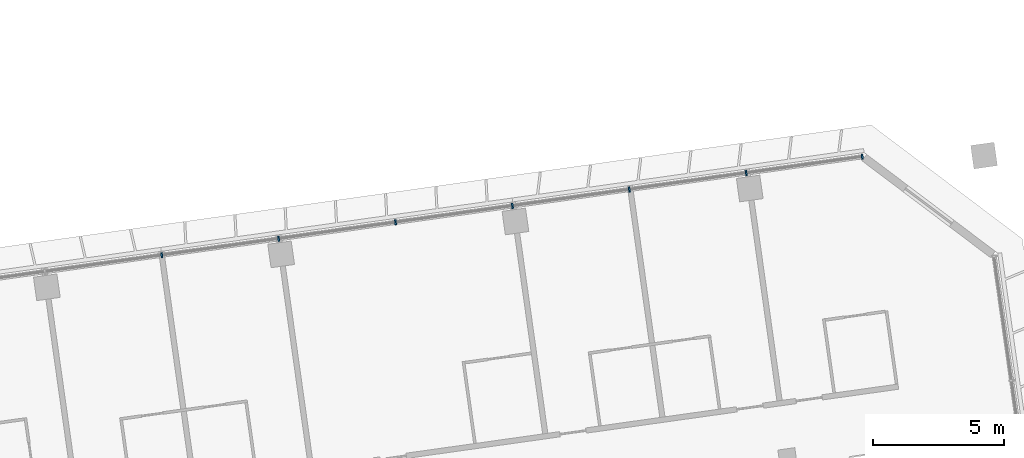
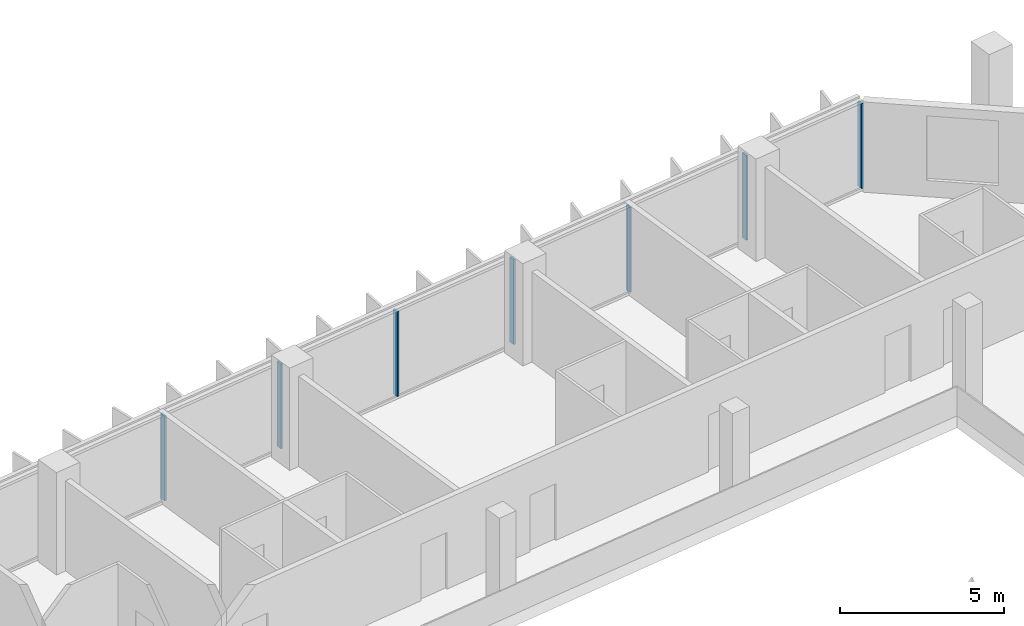
# One storey, part 10 of 26: 7 members, 1 element without a shape of its own.
"""IFC4 building model written with IfcOpenShell, lengths in metres."""

from ifc_helpers import new_model, si_unit, direction, frame, origin, origin_2d, place, context, subcontext, project, spatial, rectangle, extrude, material, material_profile, profile_set, type_object, element, aggregate, save


model = new_model("IFC4")

# Units and contexts
model_context = context("Model", 3, precision=1e-05, world=origin(), true_north=direction((0.0, 1.0)))
body_context = subcontext(model_context, "Body", "Model", "MODEL_VIEW")
ifc_project = project(units=[si_unit("LENGTHUNIT", "METRE"), si_unit("AREAUNIT", "SQUARE_METRE"), si_unit("VOLUMEUNIT", "CUBIC_METRE"), si_unit("PLANEANGLEUNIT", "RADIAN"), si_unit("MASSUNIT", "GRAM", prefix="KILO")], contexts=[model_context])

# Site, building, storey
site_placement = place(None, origin())
site = spatial("IfcSite", under=ifc_project, at=site_placement, CompositionType="ELEMENT")
building_placement = place(site_placement, origin())
building = spatial("IfcBuilding", under=site, at=building_placement, Name="Mirante Cascada Hotel Towers", CompositionType="ELEMENT")
storey_placement = place(building_placement, frame((0.0, 0.0, 98.7)))
storey = spatial("IfcBuildingStorey", under=building, at=storey_placement, Name="L21", CompositionType="ELEMENT", Elevation=98.7)

# Curtain wall, members
ifc_material_1 = material(Name="Aluminium mullion and transom frame with clear laminated glass", Category="aluminium")
curtain_wall_type = type_object("IfcCurtainWallType", Name="Ribbon curtain wall ECW1", PredefinedType="NOTDEFINED", material=ifc_material_1)
curtain_wall_placement = place(storey_placement, origin())
curtain_wall = element("IfcCurtainWall", 1, at=curtain_wall_placement, inside=storey, type_object=curtain_wall_type, Name="Front ribbon wall T2 L21", PredefinedType="NOTDEFINED")
ifc_material_2 = material(Name="Anodised aluminium extrusion", Category="aluminium")
ifc_material_profile = material_profile(ifc_material_2, rectangle(XDim=0.2, YDim=0.065, at=origin_2d()), Name="ECW1 MULLION 65x200")
ifc_profile_set = profile_set([ifc_material_profile], Name="Anodised aluminium extrusion")
member_type = type_object("IfcMemberType", Name="ECW1 mullion 65x200", PredefinedType="MULLION", material=ifc_profile_set)
member_1_placement = place(storey_placement, frame((85.2136, 24.795, 0.1), z_axis=(0.0, 0.0, 1.0), x_axis=(0.1391731, -0.9902681, 0.0)))
member_1 = element("IfcMember", 2, at=member_1_placement, type_object=member_type, Name="ECW1 mullion 1", PredefinedType="MULLION", context=body_context, shape_type="SweptSolid", body=[
    extrude(rectangle(XDim=0.2, YDim=0.065, at=origin_2d()), origin(), (0.0, 0.0, 1.0), 3.15),
])
member_2_placement = place(storey_placement, frame((80.7998, 24.1747, 0.1), z_axis=(0.0, 0.0, 1.0), x_axis=(0.1391731, -0.9902681, 0.0)))
member_2 = element("IfcMember", 3, at=member_2_placement, type_object=member_type, Name="ECW1 mullion 2", PredefinedType="MULLION", context=body_context, shape_type="SweptSolid", body=[
    extrude(rectangle(XDim=0.2, YDim=0.065, at=origin_2d()), origin(), (0.0, 0.0, 1.0), 3.15),
])
member_3_placement = place(storey_placement, frame((76.3538, 23.5499, 0.1), z_axis=(0.0, 0.0, 1.0), x_axis=(0.1391731, -0.9902681, 0.0)))
member_3 = element("IfcMember", 4, at=member_3_placement, type_object=member_type, Name="ECW1 mullion 3", PredefinedType="MULLION", context=body_context, shape_type="SweptSolid", body=[
    extrude(rectangle(XDim=0.2, YDim=0.065, at=origin_2d()), origin(), (0.0, 0.0, 1.0), 3.15),
])
member_4_placement = place(storey_placement, frame((71.9079, 22.925, 0.1), z_axis=(0.0, 0.0, 1.0), x_axis=(0.1391731, -0.9902681, 0.0)))
member_4 = element("IfcMember", 5, at=member_4_placement, type_object=member_type, Name="ECW1 mullion 4", PredefinedType="MULLION", context=body_context, shape_type="SweptSolid", body=[
    extrude(rectangle(XDim=0.2, YDim=0.065, at=origin_2d()), origin(), (0.0, 0.0, 1.0), 3.15),
])
member_5_placement = place(storey_placement, frame((67.4619, 22.3002, 0.1), z_axis=(0.0, 0.0, 1.0), x_axis=(0.1391731, -0.9902681, 0.0)))
member_5 = element("IfcMember", 6, at=member_5_placement, type_object=member_type, Name="ECW1 mullion 5", PredefinedType="MULLION", context=body_context, shape_type="SweptSolid", body=[
    extrude(rectangle(XDim=0.2, YDim=0.065, at=origin_2d()), origin(), (0.0, 0.0, 1.0), 3.15),
])
member_6_placement = place(storey_placement, frame((63.016, 21.6753, 0.1), z_axis=(0.0, 0.0, 1.0), x_axis=(0.1391731, -0.9902681, 0.0)))
member_6 = element("IfcMember", 7, at=member_6_placement, type_object=member_type, Name="ECW1 mullion 6", PredefinedType="MULLION", context=body_context, shape_type="SweptSolid", body=[
    extrude(rectangle(XDim=0.2, YDim=0.065, at=origin_2d()), origin(), (0.0, 0.0, 1.0), 3.15),
])
member_7_placement = place(storey_placement, frame((58.57, 21.0505, 0.1), z_axis=(0.0, 0.0, 1.0), x_axis=(0.1391731, -0.9902681, 0.0)))
member_7 = element("IfcMember", 8, at=member_7_placement, type_object=member_type, Name="ECW1 mullion 7", PredefinedType="MULLION", context=body_context, shape_type="SweptSolid", body=[
    extrude(rectangle(XDim=0.2, YDim=0.065, at=origin_2d()), origin(), (0.0, 0.0, 1.0), 3.15),
])
aggregate(curtain_wall, [member_1, member_2, member_3, member_4, member_5, member_6, member_7])

save(model, "model.ifc")
